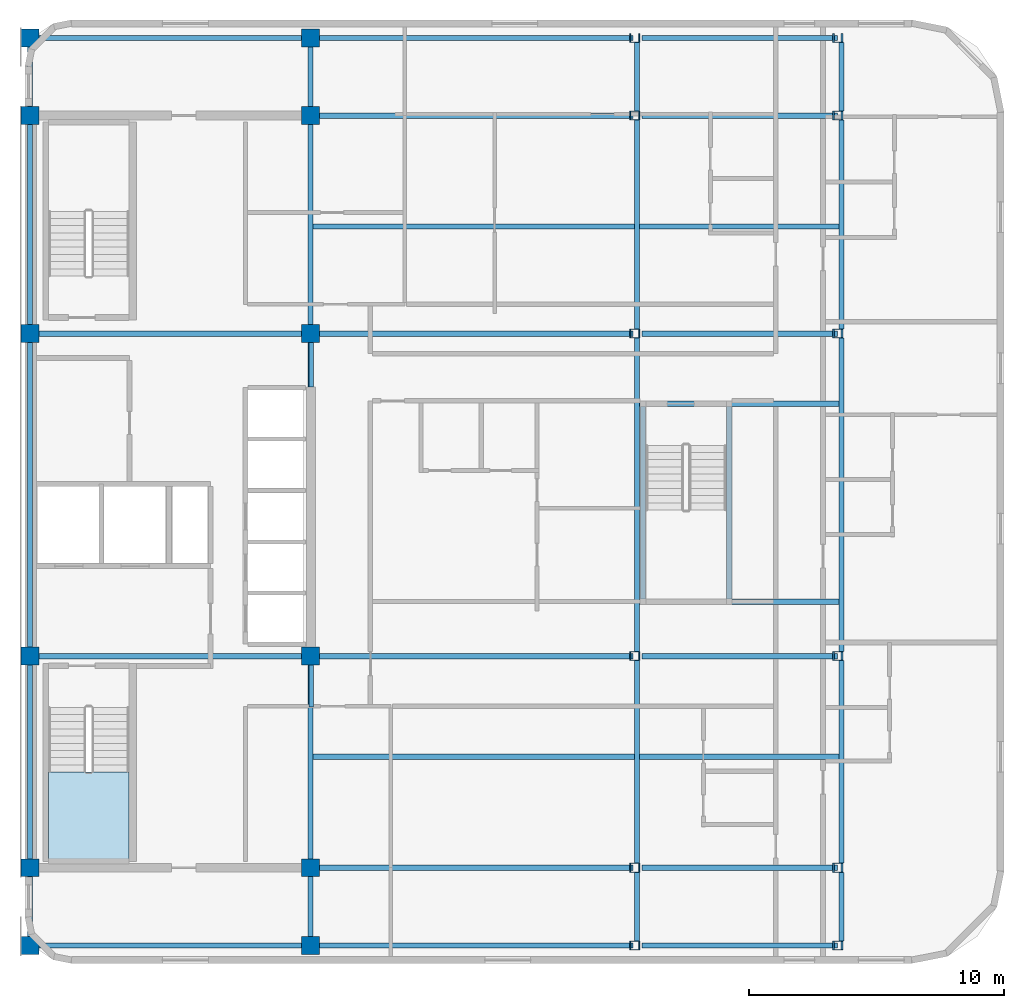
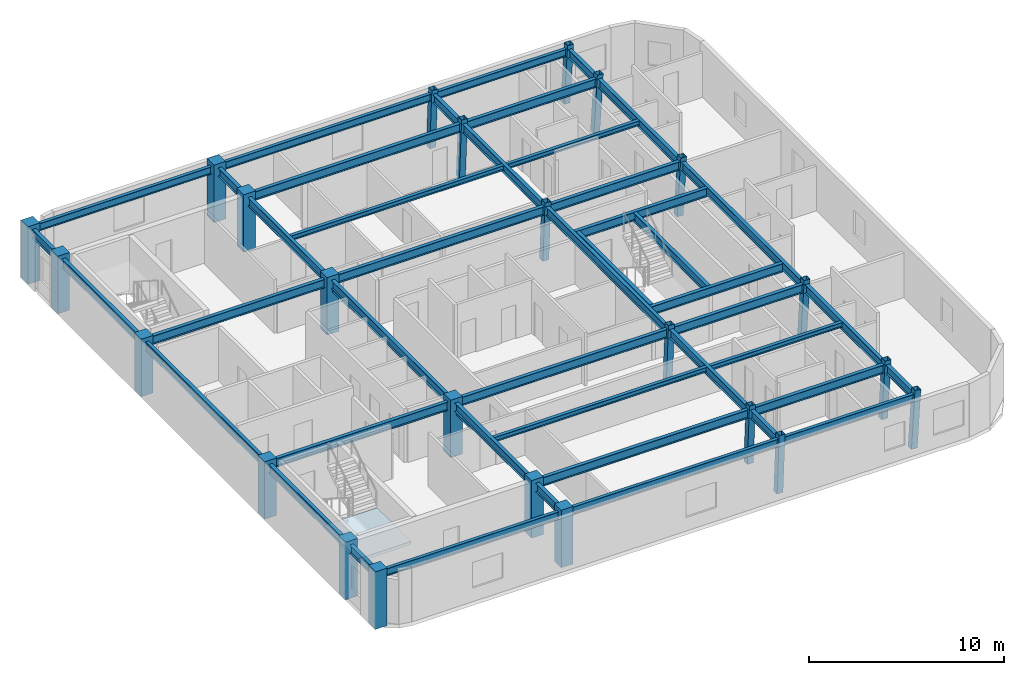
# One storey, part 1 of 8: 46 beams, 24 columns, 1 slab, 1 element without a shape of its own.
"""IFC4 building model written with IfcOpenShell, lengths in metres."""

from ifc_helpers import new_model, si_unit, direction, frame, origin, origin_2d, place, context, subcontext, project, spatial, polyline, rectangle, hollow_rectangle, i_section, outline, extrude, material, layer, layer_set, material_profile, profile_set, type_object, element, aggregate, save


model = new_model("IFC4")

# Units and contexts
model_context = context("Model", 3, precision=1e-05, world=origin(), true_north=direction((0.0, 1.0)))
body_context = subcontext(model_context, "Body", "Model", "MODEL_VIEW")
ifc_project = project(units=[si_unit("LENGTHUNIT", "METRE"), si_unit("AREAUNIT", "SQUARE_METRE"), si_unit("VOLUMEUNIT", "CUBIC_METRE"), si_unit("PLANEANGLEUNIT", "RADIAN"), si_unit("MASSUNIT", "GRAM", prefix="KILO")], contexts=[model_context])

# Site, building, storey
site_placement = place(None, origin())
site = spatial("IfcSite", under=ifc_project, at=site_placement, CompositionType="ELEMENT")
building_placement = place(site_placement, origin())
building = spatial("IfcBuilding", under=site, at=building_placement, Name="Ochreholt Gables", CompositionType="ELEMENT")
storey_placement = place(building_placement, frame((0.0, 0.0, 227.39990234375)))
storey = spatial("IfcBuildingStorey", under=building, at=storey_placement, Name="L59", CompositionType="ELEMENT", Elevation=227.39990234375)

# Columns
ifc_material_1 = material(Name="Steel CSA G40.21 350W", Category="steel")
ifc_material_profile_1 = material_profile(ifc_material_1, hollow_rectangle(XDim=0.35595703125, YDim=0.35595703125, WallThickness=0.01611328125, at=origin_2d()), Name="HSS356X356X16")
ifc_profile_set_1 = profile_set([ifc_material_profile_1], Name="Steel CSA G40.21 350W")
column_type_1 = type_object("IfcColumnType", Name="COL-HSS356-RAK", PredefinedType="COLUMN", material=ifc_profile_set_1)
for number, where, z_axis, x_axis, name in (
    (1, (47.89501953125, 9.25, 0.0), (0.034971136209, 0.0, 0.999388322742), (0.0, 1.0, 0.0), "L59 Column EMY2"),
    (2, (47.89501953125, 17.550048828125, 0.0), (0.034971136209, 0.0, 0.999388322742), (0.0, 1.0, 0.0), "L59 Column EMY3"),
    (3, (47.89501953125, 30.199951171875, 0.0), (0.034971136209, 0.0, 0.999388322742), (0.0, 1.0, 0.0), "L59 Column EMY4"),
    (4, (47.89501953125, 38.75, 0.0), (0.034971136209, 0.0, 0.999388322742), (0.0, 1.0, 0.0), "L59 Column EMY5"),
):
    element("IfcColumn", number, at=place(storey_placement, frame(where, z_axis=z_axis, x_axis=x_axis)), inside=storey, type_object=column_type_1, Name=name, PredefinedType="COLUMN", context=body_context, shape_type="SweptSolid", body=[
        extrude(hollow_rectangle(XDim=0.35595703125, YDim=0.35595703125, WallThickness=0.01611328125, at=origin_2d()), origin(), (0.0, 0.0, 1.0), 3.602294921875),
    ])
ifc_material_profile_2 = material_profile(ifc_material_1, hollow_rectangle(XDim=0.35595703125, YDim=0.35595703125, WallThickness=0.01611328125, at=origin_2d()), Name="HSS356X356X16")
ifc_profile_set_2 = profile_set([ifc_material_profile_2], Name="Steel CSA G40.21 350W")
column_type_2 = type_object("IfcColumnType", Name="COL-HSS356-RAKE", PredefinedType="COLUMN", material=ifc_profile_set_2)
for number, where, z_axis, x_axis, name in (
    (5, (47.89501953125, 6.199951171875, 0.0), (0.034971136209, 0.0, 0.999388322742), (0.0, 1.0, 0.0), "L59 Column EMY1"),
    (6, (47.89501953125, 41.800048828125, 0.0), (0.034971136209, 0.0, 0.999388322742), (0.0, 1.0, 0.0), "L59 Column EMY6"),
):
    element("IfcColumn", number, at=place(storey_placement, frame(where, z_axis=z_axis, x_axis=x_axis)), inside=storey, type_object=column_type_2, Name=name, PredefinedType="COLUMN", context=body_context, shape_type="SweptSolid", body=[
        extrude(hollow_rectangle(XDim=0.35595703125, YDim=0.35595703125, WallThickness=0.01611328125, at=origin_2d()), origin(), (0.0, 0.0, 1.0), 3.602294921875),
    ])
for number, where, z_axis, x_axis, name in (
    (7, (55.845947265625, 6.199951171875, 0.0), (0.057884606321, 0.0, 0.998323280481), (0.0, 1.0, 0.0), "L59 Column EEY1"),
    (8, (55.845947265625, 9.25, 0.0), (0.057884606321, 0.0, 0.998323280481), (0.0, 1.0, 0.0), "L59 Column EEY2"),
    (9, (55.845947265625, 17.550048828125, 0.0), (0.057884606321, 0.0, 0.998323280481), (0.0, 1.0, 0.0), "L59 Column EEY3"),
    (10, (55.845947265625, 30.199951171875, 0.0), (0.057884606321, 0.0, 0.998323280481), (0.0, 1.0, 0.0), "L59 Column EEY4"),
    (11, (55.845947265625, 38.75, 0.0), (0.057884606321, 0.0, 0.998323280481), (0.0, 1.0, 0.0), "L59 Column EEY5"),
    (12, (55.845947265625, 41.800048828125, 0.0), (0.057884606321, 0.0, 0.998323280481), (0.0, 1.0, 0.0), "L59 Column EEY6"),
):
    element("IfcColumn", number, at=place(storey_placement, frame(where, z_axis=z_axis, x_axis=x_axis)), inside=storey, type_object=column_type_2, Name=name, PredefinedType="COLUMN", context=body_context, shape_type="SweptSolid", body=[
        extrude(hollow_rectangle(XDim=0.35595703125, YDim=0.35595703125, WallThickness=0.01611328125, at=origin_2d()), origin(), (0.0, 0.0, 1.0), 3.606201171875),
    ])
ifc_material_2 = material(Name="Concrete 50 MPa", Category="concrete")
ifc_material_profile_3 = material_profile(ifc_material_2, rectangle(XDim=0.699951171875, YDim=0.699951171875, at=origin_2d()), Name="RC700X700")
ifc_profile_set_3 = profile_set([ifc_material_profile_3], Name="Concrete 50 MPa")
column_type_3 = type_object("IfcColumnType", Name="COL-RC700-EXT", PredefinedType="COLUMN", material=ifc_profile_set_3)
for number, where, z_axis, x_axis, name in (
    (13, (24.199951171875, 6.199951171875, 0.0), (0.0, 0.0, 1.0), (1.0, 0.0, 0.0), "L59 Column C1Y1"),
    (14, (24.199951171875, 9.25, 0.0), (0.0, 0.0, 1.0), (1.0, 0.0, 0.0), "L59 Column C1Y2"),
    (15, (24.199951171875, 17.550048828125, 0.0), (0.0, 0.0, 1.0), (1.0, 0.0, 0.0), "L59 Column C1Y3"),
    (16, (24.199951171875, 30.199951171875, 0.0), (0.0, 0.0, 1.0), (1.0, 0.0, 0.0), "L59 Column C1Y4"),
    (17, (24.199951171875, 38.75, 0.0), (0.0, 0.0, 1.0), (1.0, 0.0, 0.0), "L59 Column C1Y5"),
    (18, (24.199951171875, 41.800048828125, 0.0), (0.0, 0.0, 1.0), (1.0, 0.0, 0.0), "L59 Column C1Y6"),
    (19, (35.199951171875, 6.199951171875, 0.0), (0.0, 0.0, 1.0), (1.0, 0.0, 0.0), "L59 Column C2Y1"),
    (20, (35.199951171875, 41.800048828125, 0.0), (0.0, 0.0, 1.0), (1.0, 0.0, 0.0), "L59 Column C2Y6"),
):
    element("IfcColumn", number, at=place(storey_placement, frame(where, z_axis=z_axis, x_axis=x_axis)), inside=storey, type_object=column_type_3, Name=name, PredefinedType="COLUMN", context=body_context, shape_type="SweptSolid", body=[
        extrude(rectangle(XDim=0.699951171875, YDim=0.699951171875, at=origin_2d()), origin(), (0.0, 0.0, 1.0), 3.60009765625),
    ])
ifc_material_profile_4 = material_profile(ifc_material_2, rectangle(XDim=0.699951171875, YDim=0.699951171875, at=origin_2d()), Name="RC700X700")
ifc_profile_set_4 = profile_set([ifc_material_profile_4], Name="Concrete 50 MPa")
column_type_4 = type_object("IfcColumnType", Name="COL-RC700-INT", PredefinedType="COLUMN", material=ifc_profile_set_4)
for number, where, z_axis, x_axis, name in (
    (21, (35.199951171875, 9.25, 0.0), (0.0, 0.0, 1.0), (1.0, 0.0, 0.0), "L59 Column C2Y2"),
    (22, (35.199951171875, 17.550048828125, 0.0), (0.0, 0.0, 1.0), (1.0, 0.0, 0.0), "L59 Column C2Y3"),
    (23, (35.199951171875, 30.199951171875, 0.0), (0.0, 0.0, 1.0), (1.0, 0.0, 0.0), "L59 Column C2Y4"),
    (24, (35.199951171875, 38.75, 0.0), (0.0, 0.0, 1.0), (1.0, 0.0, 0.0), "L59 Column C2Y5"),
):
    element("IfcColumn", number, at=place(storey_placement, frame(where, z_axis=z_axis, x_axis=x_axis)), inside=storey, type_object=column_type_4, Name=name, PredefinedType="COLUMN", context=body_context, shape_type="SweptSolid", body=[
        extrude(rectangle(XDim=0.699951171875, YDim=0.699951171875, at=origin_2d()), origin(), (0.0, 0.0, 1.0), 3.60009765625),
    ])

# Beams
ifc_material_profile_5 = material_profile(ifc_material_1, i_section(OverallWidth=0.2109375, OverallDepth=0.5390625, WebThickness=0.01171875, FlangeThickness=0.018798828125, at=origin_2d()), Name="W530X109")
ifc_profile_set_5 = profile_set([ifc_material_profile_5], Name="Steel CSA G40.21 350W")
beam_type_1 = type_object("IfcBeamType", Name="BM-G-W530A", PredefinedType="BEAM", material=ifc_profile_set_5)
beam_1_placement = place(storey_placement, frame((35.549560546875, 9.25, 3.08056640625), z_axis=(1.0, 0.0, 0.0), x_axis=(0.0, 1.0, 0.0)))
element("IfcBeam", 25, at=beam_1_placement, inside=storey, type_object=beam_type_1, Name="L59 Beam TBG-L59-C2EM-Y2", PredefinedType="BEAM", context=body_context, shape_type="SweptSolid", body=[
    extrude(i_section(OverallWidth=0.2109375, OverallDepth=0.5390625, WebThickness=0.01171875, FlangeThickness=0.018798828125, at=origin_2d()), origin(), (0.0, 0.0, 1.0), 12.2939453125),
])
beam_2_placement = place(storey_placement, frame((48.198486328125, 9.25, 3.08056640625), z_axis=(1.0, 0.0, 0.0), x_axis=(0.0, 1.0, 0.0)))
element("IfcBeam", 26, at=beam_2_placement, inside=storey, type_object=beam_type_1, Name="L59 Beam TBG-L59-EMEE-Y2", PredefinedType="BEAM", context=body_context, shape_type="SweptSolid", body=[
    extrude(i_section(OverallWidth=0.2109375, OverallDepth=0.5390625, WebThickness=0.01171875, FlangeThickness=0.018798828125, at=origin_2d()), origin(), (0.0, 0.0, 1.0), 7.6787109375),
])
beam_3_placement = place(storey_placement, frame((24.549560546875, 17.550048828125, 3.08056640625), z_axis=(1.0, 0.0, 0.0), x_axis=(0.0, 1.0, 0.0)))
element("IfcBeam", 27, at=beam_3_placement, inside=storey, type_object=beam_type_1, Name="L59 Beam TBG-L59-C1C2-Y3", PredefinedType="BEAM", context=body_context, shape_type="SweptSolid", body=[
    extrude(i_section(OverallWidth=0.2109375, OverallDepth=0.5390625, WebThickness=0.01171875, FlangeThickness=0.018798828125, at=origin_2d()), origin(), (0.0, 0.0, 1.0), 10.30078125),
])
beam_4_placement = place(storey_placement, frame((35.549560546875, 17.550048828125, 3.08056640625), z_axis=(1.0, 0.0, 0.0), x_axis=(0.0, 1.0, 0.0)))
element("IfcBeam", 28, at=beam_4_placement, inside=storey, type_object=beam_type_1, Name="L59 Beam TBG-L59-C2EM-Y3", PredefinedType="BEAM", context=body_context, shape_type="SweptSolid", body=[
    extrude(i_section(OverallWidth=0.2109375, OverallDepth=0.5390625, WebThickness=0.01171875, FlangeThickness=0.018798828125, at=origin_2d()), origin(), (0.0, 0.0, 1.0), 12.2939453125),
])
beam_5_placement = place(storey_placement, frame((48.198486328125, 17.550048828125, 3.08056640625), z_axis=(1.0, 0.0, 0.0), x_axis=(0.0, 1.0, 0.0)))
element("IfcBeam", 29, at=beam_5_placement, inside=storey, type_object=beam_type_1, Name="L59 Beam TBG-L59-EMEE-Y3", PredefinedType="BEAM", context=body_context, shape_type="SweptSolid", body=[
    extrude(i_section(OverallWidth=0.2109375, OverallDepth=0.5390625, WebThickness=0.01171875, FlangeThickness=0.018798828125, at=origin_2d()), origin(), (0.0, 0.0, 1.0), 7.6787109375),
])
beam_6_placement = place(storey_placement, frame((24.549560546875, 30.199951171875, 3.08056640625), z_axis=(1.0, 0.0, 0.0), x_axis=(0.0, 1.0, 0.0)))
element("IfcBeam", 30, at=beam_6_placement, inside=storey, type_object=beam_type_1, Name="L59 Beam TBG-L59-C1C2-Y4", PredefinedType="BEAM", context=body_context, shape_type="SweptSolid", body=[
    extrude(i_section(OverallWidth=0.2109375, OverallDepth=0.5390625, WebThickness=0.01171875, FlangeThickness=0.018798828125, at=origin_2d()), origin(), (0.0, 0.0, 1.0), 10.30078125),
])
beam_7_placement = place(storey_placement, frame((35.549560546875, 30.199951171875, 3.08056640625), z_axis=(1.0, 0.0, 0.0), x_axis=(0.0, 1.0, 0.0)))
element("IfcBeam", 31, at=beam_7_placement, inside=storey, type_object=beam_type_1, Name="L59 Beam TBG-L59-C2EM-Y4", PredefinedType="BEAM", context=body_context, shape_type="SweptSolid", body=[
    extrude(i_section(OverallWidth=0.2109375, OverallDepth=0.5390625, WebThickness=0.01171875, FlangeThickness=0.018798828125, at=origin_2d()), origin(), (0.0, 0.0, 1.0), 12.2939453125),
])
beam_8_placement = place(storey_placement, frame((48.198486328125, 30.199951171875, 3.08056640625), z_axis=(1.0, 0.0, 0.0), x_axis=(0.0, 1.0, 0.0)))
element("IfcBeam", 32, at=beam_8_placement, inside=storey, type_object=beam_type_1, Name="L59 Beam TBG-L59-EMEE-Y4", PredefinedType="BEAM", context=body_context, shape_type="SweptSolid", body=[
    extrude(i_section(OverallWidth=0.2109375, OverallDepth=0.5390625, WebThickness=0.01171875, FlangeThickness=0.018798828125, at=origin_2d()), origin(), (0.0, 0.0, 1.0), 7.6787109375),
])
beam_9_placement = place(storey_placement, frame((35.549560546875, 38.75, 3.08056640625), z_axis=(1.0, 0.0, 0.0), x_axis=(0.0, 1.0, 0.0)))
element("IfcBeam", 33, at=beam_9_placement, inside=storey, type_object=beam_type_1, Name="L59 Beam TBG-L59-C2EM-Y5", PredefinedType="BEAM", context=body_context, shape_type="SweptSolid", body=[
    extrude(i_section(OverallWidth=0.2109375, OverallDepth=0.5390625, WebThickness=0.01171875, FlangeThickness=0.018798828125, at=origin_2d()), origin(), (0.0, 0.0, 1.0), 12.2939453125),
])
beam_10_placement = place(storey_placement, frame((48.198486328125, 38.75, 3.08056640625), z_axis=(1.0, 0.0, 0.0), x_axis=(0.0, 1.0, 0.0)))
element("IfcBeam", 34, at=beam_10_placement, inside=storey, type_object=beam_type_1, Name="L59 Beam TBG-L59-EMEE-Y5", PredefinedType="BEAM", context=body_context, shape_type="SweptSolid", body=[
    extrude(i_section(OverallWidth=0.2109375, OverallDepth=0.5390625, WebThickness=0.01171875, FlangeThickness=0.018798828125, at=origin_2d()), origin(), (0.0, 0.0, 1.0), 7.6787109375),
])
beam_11_placement = place(storey_placement, frame((24.199951171875, 6.549560546875, 3.08056640625), z_axis=(0.0, 1.0, 0.0), x_axis=(-1.0, 0.0, 0.0)))
element("IfcBeam", 35, at=beam_11_placement, inside=storey, type_object=beam_type_1, Name="L59 Beam TBN-L59-C1-Y1Y2", PredefinedType="BEAM", context=body_context, shape_type="SweptSolid", body=[
    extrude(i_section(OverallWidth=0.2109375, OverallDepth=0.5390625, WebThickness=0.01171875, FlangeThickness=0.018798828125, at=origin_2d()), origin(), (0.0, 0.0, 1.0), 2.350830078125),
])
beam_12_placement = place(storey_placement, frame((24.199951171875, 9.599609375, 3.08056640625), z_axis=(0.0, 1.0, 0.0), x_axis=(-1.0, 0.0, 0.0)))
element("IfcBeam", 36, at=beam_12_placement, inside=storey, type_object=beam_type_1, Name="L59 Beam TBN-L59-C1-Y2Y3", PredefinedType="BEAM", context=body_context, shape_type="SweptSolid", body=[
    extrude(i_section(OverallWidth=0.2109375, OverallDepth=0.5390625, WebThickness=0.01171875, FlangeThickness=0.018798828125, at=origin_2d()), origin(), (0.0, 0.0, 1.0), 7.600830078125),
])
beam_13_placement = place(storey_placement, frame((24.199951171875, 17.899658203125, 3.08056640625), z_axis=(0.0, 1.0, 0.0), x_axis=(-1.0, 0.0, 0.0)))
element("IfcBeam", 37, at=beam_13_placement, inside=storey, type_object=beam_type_1, Name="L59 Beam TBN-L59-C1-Y3Y4", PredefinedType="BEAM", context=body_context, shape_type="SweptSolid", body=[
    extrude(i_section(OverallWidth=0.2109375, OverallDepth=0.5390625, WebThickness=0.01171875, FlangeThickness=0.018798828125, at=origin_2d()), origin(), (0.0, 0.0, 1.0), 11.95068359375),
])
beam_14_placement = place(storey_placement, frame((24.199951171875, 30.549560546875, 3.08056640625), z_axis=(0.0, 1.0, 0.0), x_axis=(-1.0, 0.0, 0.0)))
element("IfcBeam", 38, at=beam_14_placement, inside=storey, type_object=beam_type_1, Name="L59 Beam TBN-L59-C1-Y4Y5", PredefinedType="BEAM", context=body_context, shape_type="SweptSolid", body=[
    extrude(i_section(OverallWidth=0.2109375, OverallDepth=0.5390625, WebThickness=0.01171875, FlangeThickness=0.018798828125, at=origin_2d()), origin(), (0.0, 0.0, 1.0), 7.850830078125),
])
for number, where, z_axis, x_axis, name in (
    (39, (24.199951171875, 39.099609375, 3.08056640625), (0.0, 1.0, 0.0), (-1.0, 0.0, 0.0), "L59 Beam TBN-L59-C1-Y5Y6"),
    (40, (35.199951171875, 6.549560546875, 3.08056640625), (0.0, 1.0, 0.0), (-1.0, 0.0, 0.0), "L59 Beam TBN-L59-C2-Y1Y2"),
):
    element("IfcBeam", number, at=place(storey_placement, frame(where, z_axis=z_axis, x_axis=x_axis)), inside=storey, type_object=beam_type_1, Name=name, PredefinedType="BEAM", context=body_context, shape_type="SweptSolid", body=[
        extrude(i_section(OverallWidth=0.2109375, OverallDepth=0.5390625, WebThickness=0.01171875, FlangeThickness=0.018798828125, at=origin_2d()), origin(), (0.0, 0.0, 1.0), 2.350830078125),
    ])
beam_15_placement = place(storey_placement, frame((35.199951171875, 9.599609375, 3.08056640625), z_axis=(0.0, 1.0, 0.0), x_axis=(-1.0, 0.0, 0.0)))
element("IfcBeam", 41, at=beam_15_placement, inside=storey, type_object=beam_type_1, Name="L59 Beam TBN-L59-C2-Y2Y3", PredefinedType="BEAM", context=body_context, shape_type="SweptSolid", body=[
    extrude(i_section(OverallWidth=0.2109375, OverallDepth=0.5390625, WebThickness=0.01171875, FlangeThickness=0.018798828125, at=origin_2d()), origin(), (0.0, 0.0, 1.0), 7.600830078125),
])
beam_16_placement = place(storey_placement, frame((35.199951171875, 17.899658203125, 3.08056640625), z_axis=(0.0, 1.0, 0.0), x_axis=(-1.0, 0.0, 0.0)))
element("IfcBeam", 42, at=beam_16_placement, inside=storey, type_object=beam_type_1, Name="L59 Beam TBN-L59-C2-Y3Y4", PredefinedType="BEAM", context=body_context, shape_type="SweptSolid", body=[
    extrude(i_section(OverallWidth=0.2109375, OverallDepth=0.5390625, WebThickness=0.01171875, FlangeThickness=0.018798828125, at=origin_2d()), origin(), (0.0, 0.0, 1.0), 11.95068359375),
])
beam_17_placement = place(storey_placement, frame((35.199951171875, 30.549560546875, 3.08056640625), z_axis=(0.0, 1.0, 0.0), x_axis=(-1.0, 0.0, 0.0)))
element("IfcBeam", 43, at=beam_17_placement, inside=storey, type_object=beam_type_1, Name="L59 Beam TBN-L59-C2-Y4Y5", PredefinedType="BEAM", context=body_context, shape_type="SweptSolid", body=[
    extrude(i_section(OverallWidth=0.2109375, OverallDepth=0.5390625, WebThickness=0.01171875, FlangeThickness=0.018798828125, at=origin_2d()), origin(), (0.0, 0.0, 1.0), 7.850830078125),
])
beam_18_placement = place(storey_placement, frame((35.199951171875, 39.099609375, 3.08056640625), z_axis=(0.0, 1.0, 0.0), x_axis=(-1.0, 0.0, 0.0)))
element("IfcBeam", 44, at=beam_18_placement, inside=storey, type_object=beam_type_1, Name="L59 Beam TBN-L59-C2-Y5Y6", PredefinedType="BEAM", context=body_context, shape_type="SweptSolid", body=[
    extrude(i_section(OverallWidth=0.2109375, OverallDepth=0.5390625, WebThickness=0.01171875, FlangeThickness=0.018798828125, at=origin_2d()), origin(), (0.0, 0.0, 1.0), 2.350830078125),
])
beam_19_placement = place(storey_placement, frame((48.00341796875, 6.377685546875, 3.08056640625), z_axis=(0.0, 1.0, 0.0), x_axis=(-1.0, 0.0, 0.0)))
element("IfcBeam", 45, at=beam_19_placement, inside=storey, type_object=beam_type_1, Name="L59 Beam TBN-L59-EM-Y1Y2", PredefinedType="BEAM", context=body_context, shape_type="SweptSolid", body=[
    extrude(i_section(OverallWidth=0.2109375, OverallDepth=0.5390625, WebThickness=0.01171875, FlangeThickness=0.018798828125, at=origin_2d()), origin(), (0.0, 0.0, 1.0), 2.69482421875),
])
beam_20_placement = place(storey_placement, frame((48.00341796875, 9.427490234375, 3.08056640625), z_axis=(0.0, 1.0, 0.0), x_axis=(-1.0, 0.0, 0.0)))
element("IfcBeam", 46, at=beam_20_placement, inside=storey, type_object=beam_type_1, Name="L59 Beam TBN-L59-EM-Y2Y3", PredefinedType="BEAM", context=body_context, shape_type="SweptSolid", body=[
    extrude(i_section(OverallWidth=0.2109375, OverallDepth=0.5390625, WebThickness=0.01171875, FlangeThickness=0.018798828125, at=origin_2d()), origin(), (0.0, 0.0, 1.0), 7.94482421875),
])
beam_21_placement = place(storey_placement, frame((48.00341796875, 17.7275390625, 3.08056640625), z_axis=(0.0, 1.0, 0.0), x_axis=(-1.0, 0.0, 0.0)))
element("IfcBeam", 47, at=beam_21_placement, inside=storey, type_object=beam_type_1, Name="L59 Beam TBN-L59-EM-Y3Y4", PredefinedType="BEAM", context=body_context, shape_type="SweptSolid", body=[
    extrude(i_section(OverallWidth=0.2109375, OverallDepth=0.5390625, WebThickness=0.01171875, FlangeThickness=0.018798828125, at=origin_2d()), origin(), (0.0, 0.0, 1.0), 12.294921875),
])
beam_22_placement = place(storey_placement, frame((48.00341796875, 30.377685546875, 3.08056640625), z_axis=(0.0, 1.0, 0.0), x_axis=(-1.0, 0.0, 0.0)))
element("IfcBeam", 48, at=beam_22_placement, inside=storey, type_object=beam_type_1, Name="L59 Beam TBN-L59-EM-Y4Y5", PredefinedType="BEAM", context=body_context, shape_type="SweptSolid", body=[
    extrude(i_section(OverallWidth=0.2109375, OverallDepth=0.5390625, WebThickness=0.01171875, FlangeThickness=0.018798828125, at=origin_2d()), origin(), (0.0, 0.0, 1.0), 8.19482421875),
])
for number, where, z_axis, x_axis, name in (
    (49, (48.00341796875, 38.927490234375, 3.08056640625), (0.0, 1.0, 0.0), (-1.0, 0.0, 0.0), "L59 Beam TBN-L59-EM-Y5Y6"),
    (50, (56.02587890625, 6.377685546875, 3.08056640625), (0.0, 1.0, 0.0), (-1.0, 0.0, 0.0), "L59 Beam TBN-L59-EE-Y1Y2"),
):
    element("IfcBeam", number, at=place(storey_placement, frame(where, z_axis=z_axis, x_axis=x_axis)), inside=storey, type_object=beam_type_1, Name=name, PredefinedType="BEAM", context=body_context, shape_type="SweptSolid", body=[
        extrude(i_section(OverallWidth=0.2109375, OverallDepth=0.5390625, WebThickness=0.01171875, FlangeThickness=0.018798828125, at=origin_2d()), origin(), (0.0, 0.0, 1.0), 2.69482421875),
    ])
beam_23_placement = place(storey_placement, frame((56.02587890625, 9.427490234375, 3.08056640625), z_axis=(0.0, 1.0, 0.0), x_axis=(-1.0, 0.0, 0.0)))
element("IfcBeam", 51, at=beam_23_placement, inside=storey, type_object=beam_type_1, Name="L59 Beam TBN-L59-EE-Y2Y3", PredefinedType="BEAM", context=body_context, shape_type="SweptSolid", body=[
    extrude(i_section(OverallWidth=0.2109375, OverallDepth=0.5390625, WebThickness=0.01171875, FlangeThickness=0.018798828125, at=origin_2d()), origin(), (0.0, 0.0, 1.0), 7.94482421875),
])
beam_24_placement = place(storey_placement, frame((56.02587890625, 17.7275390625, 3.08056640625), z_axis=(0.0, 1.0, 0.0), x_axis=(-1.0, 0.0, 0.0)))
element("IfcBeam", 52, at=beam_24_placement, inside=storey, type_object=beam_type_1, Name="L59 Beam TBN-L59-EE-Y3Y4", PredefinedType="BEAM", context=body_context, shape_type="SweptSolid", body=[
    extrude(i_section(OverallWidth=0.2109375, OverallDepth=0.5390625, WebThickness=0.01171875, FlangeThickness=0.018798828125, at=origin_2d()), origin(), (0.0, 0.0, 1.0), 12.294921875),
])
beam_25_placement = place(storey_placement, frame((56.02587890625, 30.377685546875, 3.08056640625), z_axis=(0.0, 1.0, 0.0), x_axis=(-1.0, 0.0, 0.0)))
element("IfcBeam", 53, at=beam_25_placement, inside=storey, type_object=beam_type_1, Name="L59 Beam TBN-L59-EE-Y4Y5", PredefinedType="BEAM", context=body_context, shape_type="SweptSolid", body=[
    extrude(i_section(OverallWidth=0.2109375, OverallDepth=0.5390625, WebThickness=0.01171875, FlangeThickness=0.018798828125, at=origin_2d()), origin(), (0.0, 0.0, 1.0), 8.19482421875),
])
beam_26_placement = place(storey_placement, frame((56.02587890625, 38.927490234375, 3.08056640625), z_axis=(0.0, 1.0, 0.0), x_axis=(-1.0, 0.0, 0.0)))
element("IfcBeam", 54, at=beam_26_placement, inside=storey, type_object=beam_type_1, Name="L59 Beam TBN-L59-EE-Y5Y6", PredefinedType="BEAM", context=body_context, shape_type="SweptSolid", body=[
    extrude(i_section(OverallWidth=0.2109375, OverallDepth=0.5390625, WebThickness=0.01171875, FlangeThickness=0.018798828125, at=origin_2d()), origin(), (0.0, 0.0, 1.0), 2.69482421875),
])
for number, where, z_axis, x_axis, name in (
    (55, (48.108642578125, 19.68994140625, 3.08056640625), (1.0, 0.0, 0.0), (0.0, 1.0, 0.0), "L59 Beam TBH-L59-ST-C6-FSTUS"),
    (56, (48.108642578125, 27.449951171875, 3.08056640625), (1.0, 0.0, 0.0), (0.0, 1.0, 0.0), "L59 Beam TBH-L59-ST-C6-FSTUN"),
):
    element("IfcBeam", number, at=place(storey_placement, frame(where, z_axis=z_axis, x_axis=x_axis)), inside=storey, type_object=beam_type_1, Name=name, PredefinedType="BEAM", context=body_context, shape_type="SweptSolid", body=[
        extrude(i_section(OverallWidth=0.2109375, OverallDepth=0.5390625, WebThickness=0.01171875, FlangeThickness=0.018798828125, at=origin_2d()), origin(), (0.0, 0.0, 1.0), 7.81201171875),
    ])
for number, where, z_axis, x_axis, name in (
    (57, (48.239990234375, 19.795166015625, 3.08056640625), (0.0, 1.0, 0.0), (-1.0, 0.0, 0.0), "L59 Beam TBT-L59-ST-C6-FSTUW"),
    (58, (51.6201171875, 19.795166015625, 3.08056640625), (0.0, 1.0, 0.0), (-1.0, 0.0, 0.0), "L59 Beam TBT-L59-ST-C6-FSTUE"),
):
    element("IfcBeam", number, at=place(storey_placement, frame(where, z_axis=z_axis, x_axis=x_axis)), inside=storey, type_object=beam_type_1, Name=name, PredefinedType="BEAM", context=body_context, shape_type="SweptSolid", body=[
        extrude(i_section(OverallWidth=0.2109375, OverallDepth=0.5390625, WebThickness=0.01171875, FlangeThickness=0.018798828125, at=origin_2d()), origin(), (0.0, 0.0, 1.0), 7.5498046875),
    ])
ifc_material_profile_6 = material_profile(ifc_material_1, i_section(OverallWidth=0.202880859375, OverallDepth=0.302978515625, WebThickness=0.007568359375, FlangeThickness=0.01318359375, at=origin_2d()), Name="W310X60")
ifc_profile_set_6 = profile_set([ifc_material_profile_6], Name="Steel CSA G40.21 350W")
beam_type_2 = type_object("IfcBeamType", Name="BM-J-W310", PredefinedType="JOIST", material=ifc_profile_set_6)
beam_27_placement = place(storey_placement, frame((35.30517578125, 13.60009765625, 3.198486328125), z_axis=(1.0, 0.0, 0.0), x_axis=(0.0, 1.0, 0.0)))
element("IfcBeam", 59, at=beam_27_placement, inside=storey, type_object=beam_type_2, Name="L59 Beam TBJ-L59-J1-C2EM", PredefinedType="JOIST", context=body_context, shape_type="SweptSolid", body=[
    extrude(i_section(OverallWidth=0.202880859375, OverallDepth=0.302978515625, WebThickness=0.007568359375, FlangeThickness=0.01318359375, at=origin_2d()), origin(), (0.0, 0.0, 1.0), 12.59326171875),
])
beam_28_placement = place(storey_placement, frame((48.108642578125, 13.60009765625, 3.198486328125), z_axis=(1.0, 0.0, 0.0), x_axis=(0.0, 1.0, 0.0)))
element("IfcBeam", 60, at=beam_28_placement, inside=storey, type_object=beam_type_2, Name="L59 Beam TBJ-L59-J1-EMEE", PredefinedType="JOIST", context=body_context, shape_type="SweptSolid", body=[
    extrude(i_section(OverallWidth=0.202880859375, OverallDepth=0.302978515625, WebThickness=0.007568359375, FlangeThickness=0.01318359375, at=origin_2d()), origin(), (0.0, 0.0, 1.0), 7.81201171875),
])
beam_29_placement = place(storey_placement, frame((35.30517578125, 34.39990234375, 3.198486328125), z_axis=(1.0, 0.0, 0.0), x_axis=(0.0, 1.0, 0.0)))
element("IfcBeam", 61, at=beam_29_placement, inside=storey, type_object=beam_type_2, Name="L59 Beam TBJ-L59-J2-C2EM", PredefinedType="JOIST", context=body_context, shape_type="SweptSolid", body=[
    extrude(i_section(OverallWidth=0.202880859375, OverallDepth=0.302978515625, WebThickness=0.007568359375, FlangeThickness=0.01318359375, at=origin_2d()), origin(), (0.0, 0.0, 1.0), 12.59326171875),
])
beam_30_placement = place(storey_placement, frame((48.108642578125, 34.39990234375, 3.198486328125), z_axis=(1.0, 0.0, 0.0), x_axis=(0.0, 1.0, 0.0)))
element("IfcBeam", 62, at=beam_30_placement, inside=storey, type_object=beam_type_2, Name="L59 Beam TBJ-L59-J2-EMEE", PredefinedType="JOIST", context=body_context, shape_type="SweptSolid", body=[
    extrude(i_section(OverallWidth=0.202880859375, OverallDepth=0.302978515625, WebThickness=0.007568359375, FlangeThickness=0.01318359375, at=origin_2d()), origin(), (0.0, 0.0, 1.0), 7.81201171875),
])
ifc_material_profile_7 = material_profile(ifc_material_1, i_section(OverallWidth=0.1650390625, OverallDepth=0.200927734375, WebThickness=0.006103515625, FlangeThickness=0.01025390625, at=origin_2d()), Name="W200X36")
ifc_profile_set_7 = profile_set([ifc_material_profile_7], Name="Steel CSA G40.21 350W")
beam_type_3 = type_object("IfcBeamType", Name="BM-LIN-W200", PredefinedType="LINTEL", material=ifc_profile_set_7)
beam_31_placement = place(storey_placement, frame((35.22509765625, 15.550048828125, 2.710693359375), z_axis=(0.0, 1.0, 0.0), x_axis=(-1.0, 0.0, 0.0)))
element("IfcBeam", 63, at=beam_31_placement, inside=storey, type_object=beam_type_3, Name="L59 Core Coupling Lintel CPS", PredefinedType="LINTEL", context=body_context, shape_type="SweptSolid", body=[
    extrude(i_section(OverallWidth=0.1650390625, OverallDepth=0.200927734375, WebThickness=0.006103515625, FlangeThickness=0.01025390625, at=origin_2d()), origin(), (0.0, 0.0, 1.0), 1.64990234375),
])
beam_32_placement = place(storey_placement, frame((35.22509765625, 28.10009765625, 2.710693359375), z_axis=(0.0, 1.0, 0.0), x_axis=(-1.0, 0.0, 0.0)))
element("IfcBeam", 64, at=beam_32_placement, inside=storey, type_object=beam_type_3, Name="L59 Core Coupling Lintel CPN", PredefinedType="LINTEL", context=body_context, shape_type="SweptSolid", body=[
    extrude(i_section(OverallWidth=0.1650390625, OverallDepth=0.200927734375, WebThickness=0.006103515625, FlangeThickness=0.01025390625, at=origin_2d()), origin(), (0.0, 0.0, 1.0), 1.75),
])
ifc_material_profile_8 = material_profile(ifc_material_1, i_section(OverallWidth=0.19189453125, OverallDepth=0.462890625, WebThickness=0.010498046875, FlangeThickness=0.017578125, at=origin_2d()), Name="W460X89")
ifc_profile_set_8 = profile_set([ifc_material_profile_8], Name="Steel CSA G40.21 350W")
beam_type_4 = type_object("IfcBeamType", Name="BM-SP-W460A", PredefinedType="SPANDREL", material=ifc_profile_set_8)
beam_33_placement = place(storey_placement, frame((24.549560546875, 6.199951171875, 3.11865234375), z_axis=(1.0, 0.0, 0.0), x_axis=(0.0, 1.0, 0.0)))
element("IfcBeam", 65, at=beam_33_placement, inside=storey, type_object=beam_type_4, Name="L59 Beam TBG-L59-C1C2-Y1", PredefinedType="SPANDREL", context=body_context, shape_type="SweptSolid", body=[
    extrude(i_section(OverallWidth=0.19189453125, OverallDepth=0.462890625, WebThickness=0.010498046875, FlangeThickness=0.017578125, at=origin_2d()), origin(), (0.0, 0.0, 1.0), 10.30078125),
])
beam_34_placement = place(storey_placement, frame((35.549560546875, 6.199951171875, 3.11865234375), z_axis=(1.0, 0.0, 0.0), x_axis=(0.0, 1.0, 0.0)))
element("IfcBeam", 66, at=beam_34_placement, inside=storey, type_object=beam_type_4, Name="L59 Beam TBG-L59-C2EM-Y1", PredefinedType="SPANDREL", context=body_context, shape_type="SweptSolid", body=[
    extrude(i_section(OverallWidth=0.19189453125, OverallDepth=0.462890625, WebThickness=0.010498046875, FlangeThickness=0.017578125, at=origin_2d()), origin(), (0.0, 0.0, 1.0), 12.2939453125),
])
beam_35_placement = place(storey_placement, frame((48.198486328125, 6.199951171875, 3.11865234375), z_axis=(1.0, 0.0, 0.0), x_axis=(0.0, 1.0, 0.0)))
element("IfcBeam", 67, at=beam_35_placement, inside=storey, type_object=beam_type_4, Name="L59 Beam TBG-L59-EMEE-Y1", PredefinedType="SPANDREL", context=body_context, shape_type="SweptSolid", body=[
    extrude(i_section(OverallWidth=0.19189453125, OverallDepth=0.462890625, WebThickness=0.010498046875, FlangeThickness=0.017578125, at=origin_2d()), origin(), (0.0, 0.0, 1.0), 7.6787109375),
])
beam_36_placement = place(storey_placement, frame((24.549560546875, 41.800048828125, 3.11865234375), z_axis=(1.0, 0.0, 0.0), x_axis=(0.0, 1.0, 0.0)))
element("IfcBeam", 68, at=beam_36_placement, inside=storey, type_object=beam_type_4, Name="L59 Beam TBG-L59-C1C2-Y6", PredefinedType="SPANDREL", context=body_context, shape_type="SweptSolid", body=[
    extrude(i_section(OverallWidth=0.19189453125, OverallDepth=0.462890625, WebThickness=0.010498046875, FlangeThickness=0.017578125, at=origin_2d()), origin(), (0.0, 0.0, 1.0), 10.30078125),
])
beam_37_placement = place(storey_placement, frame((35.549560546875, 41.800048828125, 3.11865234375), z_axis=(1.0, 0.0, 0.0), x_axis=(0.0, 1.0, 0.0)))
element("IfcBeam", 69, at=beam_37_placement, inside=storey, type_object=beam_type_4, Name="L59 Beam TBG-L59-C2EM-Y6", PredefinedType="SPANDREL", context=body_context, shape_type="SweptSolid", body=[
    extrude(i_section(OverallWidth=0.19189453125, OverallDepth=0.462890625, WebThickness=0.010498046875, FlangeThickness=0.017578125, at=origin_2d()), origin(), (0.0, 0.0, 1.0), 12.2939453125),
])
beam_38_placement = place(storey_placement, frame((48.198486328125, 41.800048828125, 3.11865234375), z_axis=(1.0, 0.0, 0.0), x_axis=(0.0, 1.0, 0.0)))
element("IfcBeam", 70, at=beam_38_placement, inside=storey, type_object=beam_type_4, Name="L59 Beam TBG-L59-EMEE-Y6", PredefinedType="SPANDREL", context=body_context, shape_type="SweptSolid", body=[
    extrude(i_section(OverallWidth=0.19189453125, OverallDepth=0.462890625, WebThickness=0.010498046875, FlangeThickness=0.017578125, at=origin_2d()), origin(), (0.0, 0.0, 1.0), 7.6787109375),
])

# Stair, slab
ifc_material_3 = material(Name="Concrete 40 MPa", Category="concrete")
stair_type = type_object("IfcStairType", Name="STAIR-CORE-ST-1", PredefinedType="HALF_TURN_STAIR", material=ifc_material_3)
stair_placement = place(storey_placement, origin())
stair = element("IfcStair", 71, at=stair_placement, inside=storey, type_object=stair_type, Name="L59 Core Exit Stair 1", PredefinedType="HALF_TURN_STAIR")
ifc_layer = layer(ifc_material_3, 0.199951171875, Name="Concrete 40 MPa")
ifc_layer_set = layer_set([ifc_layer], Name="Concrete 40 MPa")
slab_type = type_object("IfcSlabType", Name="LANDING-RC200", PredefinedType="LANDING", material=ifc_layer_set)
slab_placement = place(storey_placement, frame((0.0, 0.0, 1.60009765625)))
slab = element("IfcSlab", 72, at=slab_placement, type_object=slab_type, Name="ST-1 landing 1", PredefinedType="LANDING", context=body_context, shape_type="SweptSolid", body=[
    extrude(outline(polyline([(24.919921875, 13.001953125), (24.919921875, 9.52001953125), (28.080078125, 9.52001953125), (28.080078125, 13.001953125), (24.919921875, 13.001953125)])), origin(), (0.0, 0.0, 1.0), 0.199951171875),
])
aggregate(stair, [slab])

save(model, "model.ifc")
